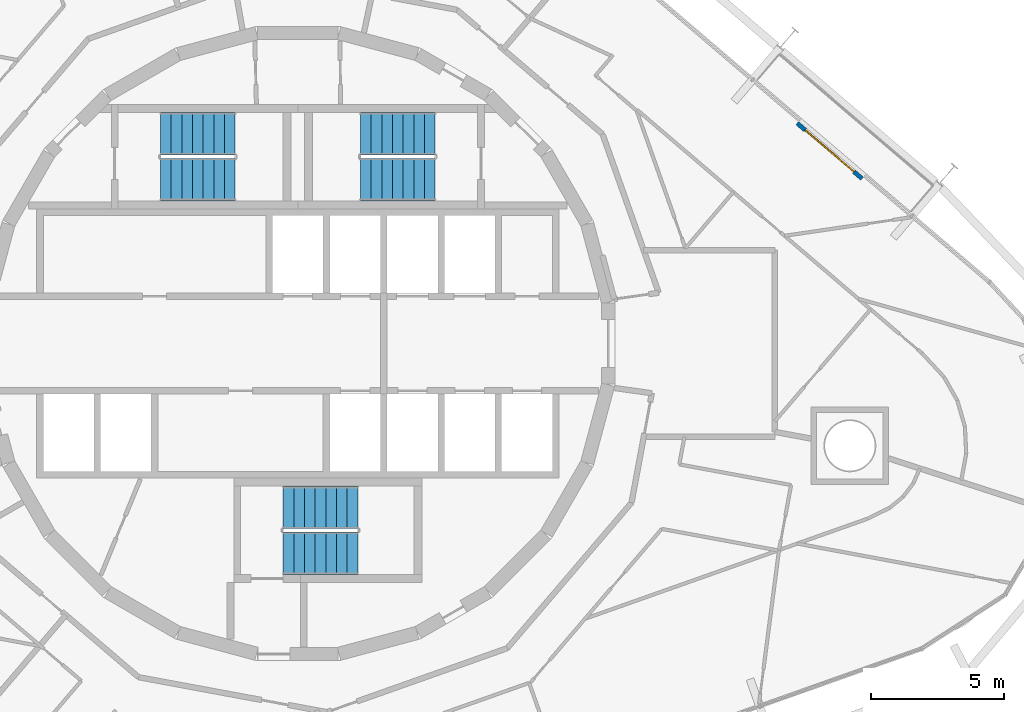
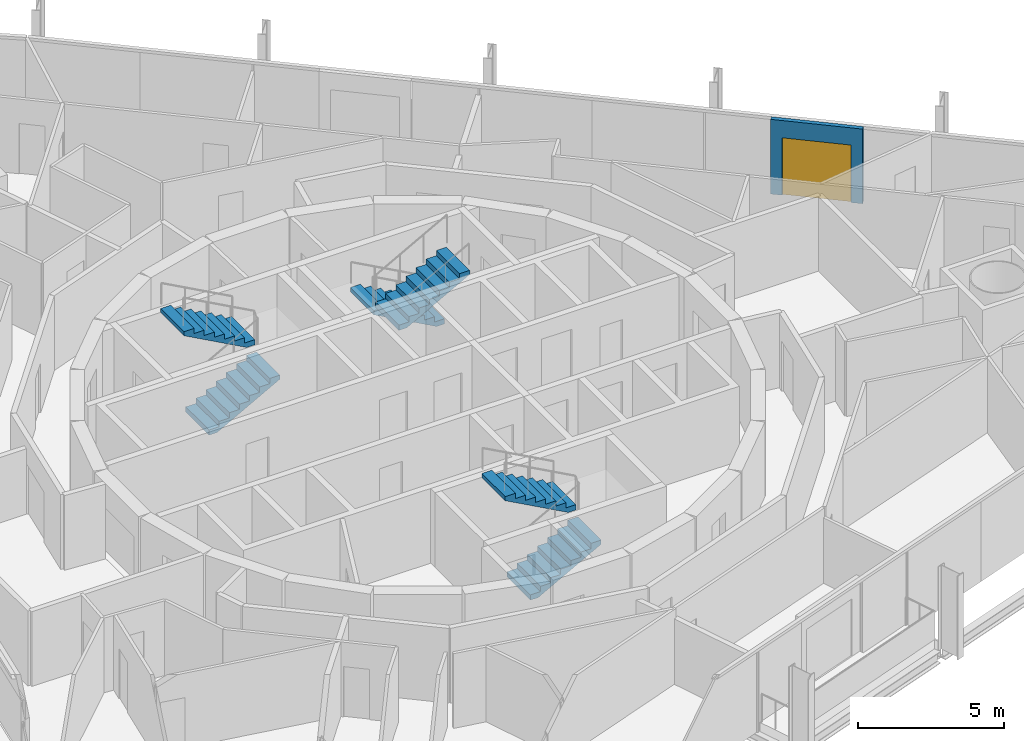
# One storey, part 16 of 17: 6 stair flights, 1 door, 1 wall, 1 opening, 3 elements without a shape of their own.
"""IFC4 building model written with IfcOpenShell, lengths in metres."""

from ifc_helpers import new_model, si_unit, direction, frame, frame_2d, origin, place, context, subcontext, project, spatial, polyline, rectangle, outline, extrude, material, layer, layer_set, type_object, element, fill, aggregate, save


model = new_model("IFC4")

# Units and contexts
model_context = context("Model", 3, precision=1e-05, world=origin(), true_north=direction((0.0, 1.0)))
body_context = subcontext(model_context, "Body", "Model", "MODEL_VIEW")
ifc_project = project(units=[si_unit("LENGTHUNIT", "METRE"), si_unit("AREAUNIT", "SQUARE_METRE"), si_unit("VOLUMEUNIT", "CUBIC_METRE"), si_unit("PLANEANGLEUNIT", "RADIAN"), si_unit("MASSUNIT", "GRAM", prefix="KILO")], contexts=[model_context])

# Site, building, storey
site_placement = place(None, origin())
site = spatial("IfcSite", under=ifc_project, at=site_placement, CompositionType="ELEMENT")
building_placement = place(site_placement, origin())
building = spatial("IfcBuilding", under=site, at=building_placement, Name="Spindle Arch Residences", CompositionType="ELEMENT")
storey_placement = place(building_placement, frame((0.0, 0.0, 176.199951171875)))
storey = spatial("IfcBuildingStorey", under=building, at=storey_placement, Name="L44", CompositionType="ELEMENT", Elevation=176.199951171875)

# Wall, opening, door
ifc_material_1 = material(Name="Non-combustible mineral wool insulated aluminium faced external wall (K0)", Category="aluminium")
ifc_layer = layer(ifc_material_1, 0.159912109375)
ifc_layer_set = layer_set([ifc_layer], Name="Insulated external wall panel 160")
wall_type = type_object("IfcWallType", Name="Insulated external wall panel 160", PredefinedType="STANDARD", material=ifc_layer_set)
wall_placement = place(storey_placement, frame((21.169921875, 6.186279296875, 0.0), z_axis=(0.0, 0.0, 1.0), x_axis=(-0.760359548534, 0.649502391799, 0.0)))
wall = element("IfcWall", 1, at=wall_placement, inside=storey, type_object=wall_type, Name="External wall L44 bay 6", PredefinedType="STANDARD", context=body_context, shape_type="SweptSolid", body=[
    extrude(rectangle(XDim=3.199951171875, YDim=0.159912109375, at=frame_2d((1.60009765625, 0.0))), origin(), (0.0, 0.0, 1.0), 3.1201171875),
])
opening_placement = place(wall_placement, frame((0.39990234375, 0.0, 0.0)))
opening = element("IfcOpeningElement", 2, at=opening_placement, cuts=wall, Name="Opening BD06", PredefinedType="OPENING", context=body_context, shape_type="SweptSolid", body=[
    extrude(rectangle(XDim=2.39990234375, YDim=2.39990234375, at=frame_2d((1.199951171875, 1.199951171875))), frame((0.0, 0.08984375, 0.0), z_axis=(0.0, -1.0, 0.0), x_axis=(1.0, 0.0, 0.0)), (0.0, 0.0, 1.0), 0.179931640625),
])
ifc_material_2 = material(Name="Bronze aluminium frame, tinted double glazing", Category="aluminium")
door_type = type_object("IfcDoorType", Name="Sliding glazed balcony door 2400x2400", OperationType="DOUBLE_DOOR_SLIDING", PredefinedType="DOOR", material=ifc_material_2)
door_placement = place(opening_placement, origin())
door = element("IfcDoor", 3, at=door_placement, inside=storey, type_object=door_type, Name="Balcony door BD06", OperationType="DOUBLE_DOOR_SLIDING", OverallHeight=2.39990234375, OverallWidth=2.39990234375, PredefinedType="DOOR", context=body_context, shape_type="SweptSolid", body=[
    extrude(rectangle(XDim=2.39990234375, YDim=2.39990234375, at=frame_2d((1.199951171875, 1.199951171875))), frame((0.0, 0.02490234375, 0.0), z_axis=(0.0, -1.0, 0.0), x_axis=(1.0, 0.0, 0.0)), (0.0, 0.0, 1.0), 0.050048828125),
])
fill(opening, door)

# Stair, stair flights
ifc_material_3 = material(Name="Concrete C50/60", Category="concrete")
stair_type = type_object("IfcStairType", Name="Exit stair 16 risers", PredefinedType="HALF_TURN_STAIR", material=ifc_material_3)
stair_1_placement = place(storey_placement, origin())
stair_1 = element("IfcStair", 4, at=stair_1_placement, inside=storey, type_object=stair_type, Name="L44 Exit stair ST1", PredefinedType="HALF_TURN_STAIR")
ifc_material_4 = material(Name="Concrete C50/60", Category="concrete")
stair_flight_type = type_object("IfcStairFlightType", Name="Exit stair flight", PredefinedType="STRAIGHT", material=ifc_material_4)
stair_flight_1_placement = place(storey_placement, frame((5.14990234375, 7.8701171875, 0.0), z_axis=(0.0, 0.0, 1.0), x_axis=(-1.0, 0.0, 0.0)))
stair_flight_1 = element("IfcStairFlight", 5, at=stair_flight_1_placement, type_object=stair_flight_type, Name="ST1 flight 1", NumberOfRisers=8, NumberOfTreads=7, PredefinedType="STRAIGHT", RiserHeight=0.21875, TreadLength=0.4, context=body_context, shape_type="SweptSolid", body=[
    extrude(outline(polyline([(0.0, 0.0), (0.0, 0.21875), (0.39990234375, 0.21875), (0.39990234375, 0.4375), (0.800048828125, 0.4375), (0.800048828125, 0.65625), (1.199951171875, 0.65625), (1.199951171875, 0.875), (1.60009765625, 0.875), (1.60009765625, 1.09375), (2.0, 1.09375), (2.0, 1.3125), (2.39990234375, 1.3125), (2.39990234375, 1.53125), (2.800048828125, 1.53125), (2.800048828125, 1.75), (2.800048828125, 1.3603515625), (0.3125, 0.0), (0.0, 0.0)])), frame((0.0, 0.800048828125, 0.0), z_axis=(0.0, -1.0, 0.0), x_axis=(1.0, 0.0, 0.0)), (0.0, 0.0, 1.0), 1.60009765625),
])
stair_flight_2_placement = place(storey_placement, frame((2.35009765625, 6.14990234375, 1.75), z_axis=(0.0, 0.0, 1.0), x_axis=(1.0, 0.0, 0.0)))
stair_flight_2 = element("IfcStairFlight", 6, at=stair_flight_2_placement, type_object=stair_flight_type, Name="ST1 flight 2", NumberOfRisers=8, NumberOfTreads=7, PredefinedType="STRAIGHT", RiserHeight=0.21875, TreadLength=0.4, context=body_context, shape_type="SweptSolid", body=[
    extrude(outline(polyline([(0.0, 0.0), (0.0, 0.21875), (0.39990234375, 0.21875), (0.39990234375, 0.4375), (0.800048828125, 0.4375), (0.800048828125, 0.65625), (1.199951171875, 0.65625), (1.199951171875, 0.875), (1.60009765625, 0.875), (1.60009765625, 1.09375), (2.0, 1.09375), (2.0, 1.3125), (2.39990234375, 1.3125), (2.39990234375, 1.53125), (2.800048828125, 1.53125), (2.800048828125, 1.75), (2.800048828125, 1.3603515625), (0.3125, 0.0), (0.0, 0.0)])), frame((0.0, 0.800048828125, 0.0), z_axis=(0.0, -1.0, 0.0), x_axis=(1.0, 0.0, 0.0)), (0.0, 0.0, 1.0), 1.60009765625),
])
aggregate(stair_1, [stair_flight_1, stair_flight_2])

stair_2_placement = place(storey_placement, origin())
stair_2 = element("IfcStair", 7, at=stair_2_placement, inside=storey, type_object=stair_type, Name="L44 Exit stair ST2", PredefinedType="HALF_TURN_STAIR")
stair_flight_3_placement = place(storey_placement, frame((-5.14990234375, 6.14990234375, 0.0), z_axis=(0.0, 0.0, 1.0), x_axis=(1.0, 0.0, 0.0)))
stair_flight_3 = element("IfcStairFlight", 8, at=stair_flight_3_placement, type_object=stair_flight_type, Name="ST2 flight 1", NumberOfRisers=8, NumberOfTreads=7, PredefinedType="STRAIGHT", RiserHeight=0.21875, TreadLength=0.4, context=body_context, shape_type="SweptSolid", body=[
    extrude(outline(polyline([(0.0, 0.0), (0.0, 0.21875), (0.39990234375, 0.21875), (0.39990234375, 0.4375), (0.800048828125, 0.4375), (0.800048828125, 0.65625), (1.199951171875, 0.65625), (1.199951171875, 0.875), (1.60009765625, 0.875), (1.60009765625, 1.09375), (2.0, 1.09375), (2.0, 1.3125), (2.39990234375, 1.3125), (2.39990234375, 1.53125), (2.800048828125, 1.53125), (2.800048828125, 1.75), (2.800048828125, 1.3603515625), (0.3125, 0.0), (0.0, 0.0)])), frame((0.0, 0.800048828125, 0.0), z_axis=(0.0, -1.0, 0.0), x_axis=(1.0, 0.0, 0.0)), (0.0, 0.0, 1.0), 1.60009765625),
])
stair_flight_4_placement = place(storey_placement, frame((-2.35009765625, 7.8701171875, 1.75), z_axis=(0.0, 0.0, 1.0), x_axis=(-1.0, 0.0, 0.0)))
stair_flight_4 = element("IfcStairFlight", 9, at=stair_flight_4_placement, type_object=stair_flight_type, Name="ST2 flight 2", NumberOfRisers=8, NumberOfTreads=7, PredefinedType="STRAIGHT", RiserHeight=0.21875, TreadLength=0.4, context=body_context, shape_type="SweptSolid", body=[
    extrude(outline(polyline([(0.0, 0.0), (0.0, 0.21875), (0.39990234375, 0.21875), (0.39990234375, 0.4375), (0.800048828125, 0.4375), (0.800048828125, 0.65625), (1.199951171875, 0.65625), (1.199951171875, 0.875), (1.60009765625, 0.875), (1.60009765625, 1.09375), (2.0, 1.09375), (2.0, 1.3125), (2.39990234375, 1.3125), (2.39990234375, 1.53125), (2.800048828125, 1.53125), (2.800048828125, 1.75), (2.800048828125, 1.3603515625), (0.3125, 0.0), (0.0, 0.0)])), frame((0.0, 0.800048828125, 0.0), z_axis=(0.0, -1.0, 0.0), x_axis=(1.0, 0.0, 0.0)), (0.0, 0.0, 1.0), 1.60009765625),
])
aggregate(stair_2, [stair_flight_3, stair_flight_4])

stair_3_placement = place(storey_placement, origin())
stair_3 = element("IfcStair", 10, at=stair_3_placement, inside=storey, type_object=stair_type, Name="L44 Exit stair ST3", PredefinedType="HALF_TURN_STAIR")
stair_flight_5_placement = place(storey_placement, frame((-0.550048828125, -7.8701171875, 0.0), z_axis=(0.0, 0.0, 1.0), x_axis=(1.0, 0.0, 0.0)))
stair_flight_5 = element("IfcStairFlight", 11, at=stair_flight_5_placement, type_object=stair_flight_type, Name="ST3 flight 1", NumberOfRisers=8, NumberOfTreads=7, PredefinedType="STRAIGHT", RiserHeight=0.21875, TreadLength=0.4, context=body_context, shape_type="SweptSolid", body=[
    extrude(outline(polyline([(0.0, 0.0), (0.0, 0.21875), (0.39990234375, 0.21875), (0.39990234375, 0.4375), (0.800048828125, 0.4375), (0.800048828125, 0.65625), (1.199951171875, 0.65625), (1.199951171875, 0.875), (1.60009765625, 0.875), (1.60009765625, 1.09375), (2.0, 1.09375), (2.0, 1.3125), (2.39990234375, 1.3125), (2.39990234375, 1.53125), (2.800048828125, 1.53125), (2.800048828125, 1.75), (2.800048828125, 1.3603515625), (0.3125, 0.0), (0.0, 0.0)])), frame((0.0, 0.800048828125, 0.0), z_axis=(0.0, -1.0, 0.0), x_axis=(1.0, 0.0, 0.0)), (0.0, 0.0, 1.0), 1.60009765625),
])
stair_flight_6_placement = place(storey_placement, frame((2.25, -6.14990234375, 1.75), z_axis=(0.0, 0.0, 1.0), x_axis=(-1.0, 0.0, 0.0)))
stair_flight_6 = element("IfcStairFlight", 12, at=stair_flight_6_placement, type_object=stair_flight_type, Name="ST3 flight 2", NumberOfRisers=8, NumberOfTreads=7, PredefinedType="STRAIGHT", RiserHeight=0.21875, TreadLength=0.4, context=body_context, shape_type="SweptSolid", body=[
    extrude(outline(polyline([(0.0, 0.0), (0.0, 0.21875), (0.39990234375, 0.21875), (0.39990234375, 0.4375), (0.800048828125, 0.4375), (0.800048828125, 0.65625), (1.199951171875, 0.65625), (1.199951171875, 0.875), (1.60009765625, 0.875), (1.60009765625, 1.09375), (2.0, 1.09375), (2.0, 1.3125), (2.39990234375, 1.3125), (2.39990234375, 1.53125), (2.800048828125, 1.53125), (2.800048828125, 1.75), (2.800048828125, 1.3603515625), (0.3125, 0.0), (0.0, 0.0)])), frame((0.0, 0.800048828125, 0.0), z_axis=(0.0, -1.0, 0.0), x_axis=(1.0, 0.0, 0.0)), (0.0, 0.0, 1.0), 1.60009765625),
])
aggregate(stair_3, [stair_flight_5, stair_flight_6])

save(model, "model.ifc")
